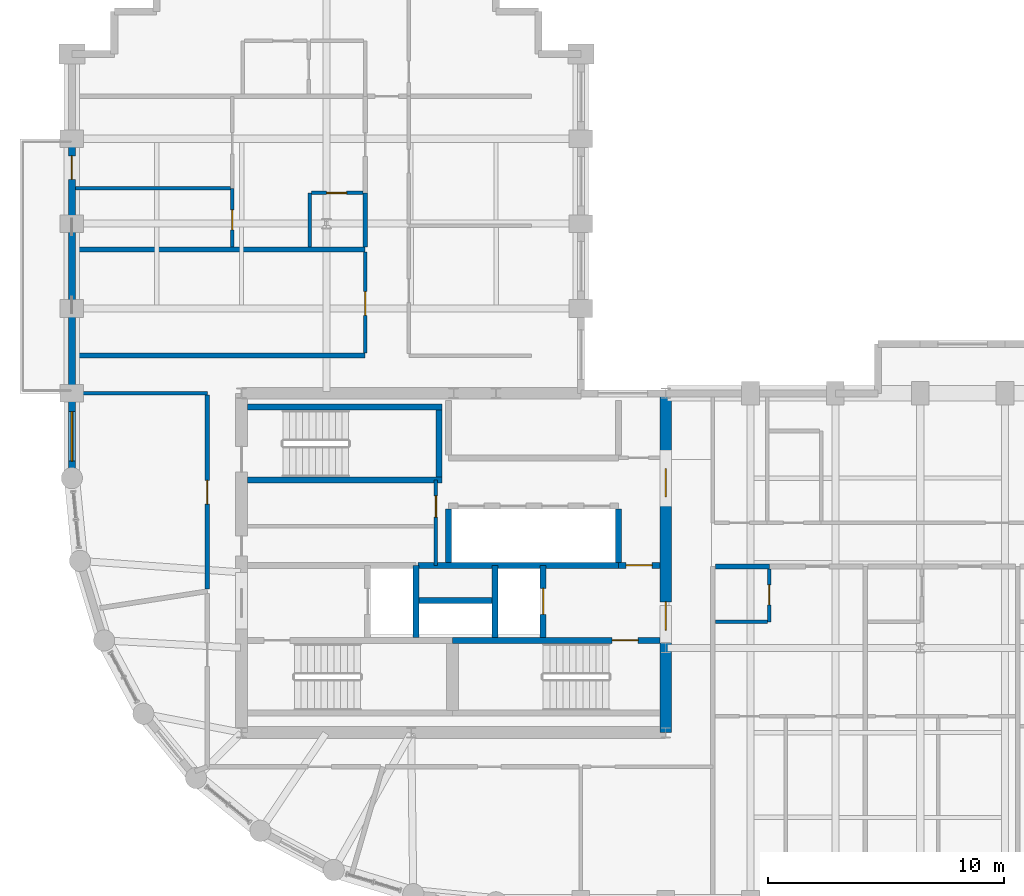
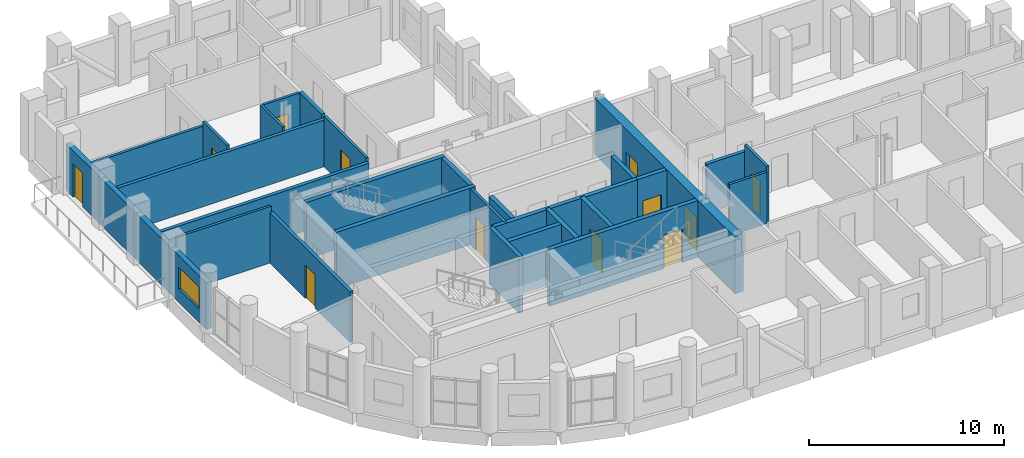
# One storey, part 10 of 15: 31 walls, 12 doors, 1 window, 13 openings.
"""IFC4 building model written with IfcOpenShell, lengths in metres."""

from ifc_helpers import new_model, si_unit, direction, frame, frame_2d, origin, place, context, subcontext, project, spatial, rectangle, extrude, material, layer, layer_set, type_object, element, fill, save


model = new_model("IFC4")

# Units and contexts
model_context = context("Model", 3, precision=1e-05, world=origin(), true_north=direction((0.0, 1.0)))
body_context = subcontext(model_context, "Body", "Model", "MODEL_VIEW")
ifc_project = project(units=[si_unit("LENGTHUNIT", "METRE"), si_unit("AREAUNIT", "SQUARE_METRE"), si_unit("VOLUMEUNIT", "CUBIC_METRE"), si_unit("PLANEANGLEUNIT", "RADIAN"), si_unit("MASSUNIT", "GRAM", prefix="KILO")], contexts=[model_context])

# Site, building, storey
site_placement = place(None, origin())
site = spatial("IfcSite", under=ifc_project, at=site_placement, CompositionType="ELEMENT")
building_placement = place(site_placement, origin())
building = spatial("IfcBuilding", under=site, at=building_placement, Name="Solnavia Interchange Tower", CompositionType="ELEMENT")
storey_placement = place(building_placement, frame((0.0, 0.0, 146.60009765625)))
storey = spatial("IfcBuildingStorey", under=building, at=storey_placement, Name="L36", CompositionType="ELEMENT", Elevation=146.60009765625)

# Wall, opening, door
ifc_material_1 = material(Name="Gypsum Acoustic Twin-Stud & Mineral Wool", Category="gypsum")
ifc_layer_1 = layer(ifc_material_1, 0.199951171875)
ifc_layer_set_1 = layer_set([ifc_layer_1], Name="Gypsum Acoustic Twin-Stud & Mineral Wool")
wall_type_1 = type_object("IfcWallType", Name="Wall-ApartmentParty-200", PredefinedType="PARTITIONING", material=ifc_layer_set_1)
wall_1_placement = place(storey_placement, frame((12.949951171875, 16.904052734375, 0.0), z_axis=(0.0, 0.0, 1.0), x_axis=(0.0, 1.0, 0.0)))
wall_1 = element("IfcWall", 1, at=wall_1_placement, inside=storey, type_object=wall_type_1, Name="PTW-L36-12 Interior partition wall", PredefinedType="PARTITIONING", context=body_context, shape_type="SweptSolid", body=[
    extrude(rectangle(XDim=8.217041015625, YDim=0.199951171875, at=frame_2d((4.1083984375, 0.0))), origin(), (0.0, 0.0, 1.0), 3.179931640625),
])
opening_1_placement = place(wall_1_placement, frame((3.595947265625, 0.0, 0.0)))
opening_1 = element("IfcOpeningElement", 2, at=opening_1_placement, cuts=wall_1, Name="Opening DR-07", PredefinedType="OPENING", context=body_context, shape_type="SweptSolid", body=[
    extrude(rectangle(XDim=1.0, YDim=2.10009765625, at=frame_2d((0.5, 1.050048828125))), frame((0.0, 0.10986328125, 0.0), z_axis=(0.0, -1.0, 0.0), x_axis=(1.0, 0.0, 0.0)), (0.0, 0.0, 1.0), 0.219970703125),
])
ifc_material_2 = material(Name="Timber & Acoustic Glazed Office Door", Category="wood")
door_type_1 = type_object("IfcDoorType", Name="Door-Office-1000x2100", OperationType="SINGLE_SWING_RIGHT", PredefinedType="DOOR", material=ifc_material_2)
door_1_placement = place(opening_1_placement, origin())
door_1 = element("IfcDoor", 3, at=door_1_placement, inside=storey, type_object=door_type_1, Name="DR-L36-03 Interior room door", OperationType="SINGLE_SWING_LEFT", OverallHeight=2.10009765625, OverallWidth=1.0, PredefinedType="DOOR", context=body_context, shape_type="SweptSolid", body=[
    extrude(rectangle(XDim=1.0, YDim=2.10009765625, at=frame_2d((0.5, 1.050048828125))), frame((0.0, 0.02490234375, 0.0), z_axis=(0.0, -1.0, 0.0), x_axis=(1.0, 0.0, 0.0)), (0.0, 0.0, 1.0), 0.050048828125),
])
fill(opening_1, door_1)

# Walls
wall_2_placement = place(storey_placement, frame((34.50390625, 17.85009765625, 0.0), z_axis=(0.0, 0.0, 1.0), x_axis=(1.0, 0.0, 0.0)))
element("IfcWall", 4, at=wall_2_placement, inside=storey, type_object=wall_type_1, Name="PTW-L36-19 Interior partition wall", PredefinedType="PARTITIONING", context=body_context, shape_type="SweptSolid", body=[
    extrude(rectangle(XDim=2.296142578125, YDim=0.199951171875, at=frame_2d((1.14794921875, 0.0))), origin(), (0.0, 0.0, 1.0), 3.079833984375),
])
for number, where, z_axis, x_axis, name in (
    (5, (7.35400390625, 26.800048828125, 0.0), (0.0, 0.0, 1.0), (1.0, 0.0, 0.0), "PTW-L36-42 Interior partition wall"),
    (6, (7.35400390625, 31.300048828125, 0.0), (0.0, 0.0, 1.0), (1.0, 0.0, 0.0), "PTW-L36-43 Interior partition wall"),
):
    element("IfcWall", number, at=place(storey_placement, frame(where, z_axis=z_axis, x_axis=x_axis)), inside=storey, type_object=wall_type_1, Name=name, PredefinedType="PARTITIONING", context=body_context, shape_type="SweptSolid", body=[
        extrude(rectangle(XDim=12.2958984375, YDim=0.199951171875, at=frame_2d((6.14794921875, 0.0))), origin(), (0.0, 0.0, 1.0), 2.929931640625),
    ])
wall_3_placement = place(storey_placement, frame((19.64990234375, 31.404052734375, 0.0), z_axis=(0.0, 0.0, 1.0), x_axis=(0.0, 1.0, 0.0)))
element("IfcWall", 7, at=wall_3_placement, inside=storey, type_object=wall_type_1, Name="PTW-L36-45 Interior partition wall", PredefinedType="PARTITIONING", context=body_context, shape_type="SweptSolid", body=[
    extrude(rectangle(XDim=2.2958984375, YDim=0.199951171875, at=frame_2d((1.14794921875, 0.0))), origin(), (0.0, 0.0, 1.0), 3.179931640625),
])

# Wall, opening, door
ifc_material_3 = material(Name="Concrete C40/50", Category="concrete")
ifc_layer_2 = layer(ifc_material_3, 0.300048828125)
ifc_layer_set_2 = layer_set([ifc_layer_2], Name="Concrete C40/50")
wall_type_2 = type_object("IfcWallType", Name="Wall-ExtSpandrel-300", PredefinedType="STANDARD", material=ifc_layer_set_2)
wall_4_placement = place(storey_placement, frame((7.199951171875, 32.39990234375, 0.0), z_axis=(0.0, 0.0, 1.0), x_axis=(0.0, 1.0, 0.0)))
wall_4 = element("IfcWall", 8, at=wall_4_placement, inside=storey, type_object=wall_type_2, Name="EXW-L36-47 Exterior precast spandrel wall", PredefinedType="STANDARD", context=body_context, shape_type="SweptSolid", body=[
    extrude(rectangle(XDim=3.60009765625, YDim=0.300048828125, at=frame_2d((1.800048828125, 0.0))), origin(), (0.0, 0.0, 1.0), 2.929931640625),
])
opening_2_placement = place(wall_4_placement, frame((1.8779296875, 0.0, 0.0)))
opening_2 = element("IfcOpeningElement", 9, at=opening_2_placement, cuts=wall_4, Name="Opening EXD-05", PredefinedType="OPENING", context=body_context, shape_type="SweptSolid", body=[
    extrude(rectangle(XDim=1.0, YDim=2.10009765625, at=frame_2d((0.5, 1.050048828125))), frame((0.0, 0.16015625, 0.0), z_axis=(0.0, -1.0, 0.0), x_axis=(1.0, 0.0, 0.0)), (0.0, 0.0, 1.0), 0.320068359375),
])
ifc_material_4 = material(Name="Thermally Broken Aluminium & Laminated Glass", Category="aluminium")
door_type_2 = type_object("IfcDoorType", Name="Door-TerraceSingle-1000x2100", OperationType="SINGLE_SWING_LEFT", PredefinedType="DOOR", material=ifc_material_4)
door_2_placement = place(opening_2_placement, origin())
door_2 = element("IfcDoor", 10, at=door_2_placement, inside=storey, type_object=door_type_2, Name="EXD-L36-TER Spiral terrace glazed door", OperationType="SINGLE_SWING_LEFT", OverallHeight=2.10009765625, OverallWidth=1.0, PredefinedType="DOOR", context=body_context, shape_type="SweptSolid", body=[
    extrude(rectangle(XDim=1.0, YDim=2.10009765625, at=frame_2d((0.5, 1.050048828125))), frame((0.0, 0.02490234375, 0.0), z_axis=(0.0, -1.0, 0.0), x_axis=(1.0, 0.0, 0.0)), (0.0, 0.0, 1.0), 0.050048828125),
])
fill(opening_2, door_2)

# Walls
wall_5_placement = place(storey_placement, frame((7.199951171875, 28.800048828125, 0.0), z_axis=(0.0, 0.0, 1.0), x_axis=(0.0, 1.0, 0.0)))
element("IfcWall", 11, at=wall_5_placement, inside=storey, type_object=wall_type_2, Name="EXW-L36-48 Exterior precast spandrel wall", PredefinedType="STANDARD", context=body_context, shape_type="SweptSolid", body=[
    extrude(rectangle(XDim=3.599853515625, YDim=0.300048828125, at=frame_2d((1.7998046875, 0.0))), origin(), (0.0, 0.0, 1.0), 2.929931640625),
])
wall_6_placement = place(storey_placement, frame((7.199951171875, 25.199951171875, 0.0), z_axis=(0.0, 0.0, 1.0), x_axis=(0.0, 1.0, 0.0)))
element("IfcWall", 12, at=wall_6_placement, inside=storey, type_object=wall_type_2, Name="EXW-L36-49 Exterior precast spandrel wall", PredefinedType="STANDARD", context=body_context, shape_type="SweptSolid", body=[
    extrude(rectangle(XDim=3.60009765625, YDim=0.300048828125, at=frame_2d((1.800048828125, 0.0))), origin(), (0.0, 0.0, 1.0), 2.929931640625),
])

# Wall, opening, window
wall_7_placement = place(storey_placement, frame((7.199951171875, 21.60009765625, 0.0), z_axis=(0.0, 0.0, 1.0), x_axis=(0.0, 1.0, 0.0)))
wall_7 = element("IfcWall", 13, at=wall_7_placement, inside=storey, type_object=wall_type_2, Name="EXW-L36-50 Exterior precast spandrel wall", PredefinedType="STANDARD", context=body_context, shape_type="SweptSolid", body=[
    extrude(rectangle(XDim=3.599853515625, YDim=0.300048828125, at=frame_2d((1.7998046875, 0.0))), origin(), (0.0, 0.0, 1.0), 2.929931640625),
])
opening_3_placement = place(wall_7_placement, frame((0.72509765625, 0.0, 0.85009765625)))
opening_3 = element("IfcOpeningElement", 14, at=opening_3_placement, cuts=wall_7, Name="Opening WIN-01", PredefinedType="OPENING", context=body_context, shape_type="SweptSolid", body=[
    extrude(rectangle(XDim=2.10009765625, YDim=1.35009765625, at=frame_2d((1.050048828125, 0.675048828125))), frame((0.0, 0.16015625, 0.0), z_axis=(0.0, -1.0, 0.0), x_axis=(1.0, 0.0, 0.0)), (0.0, 0.0, 1.0), 0.320068359375),
])
ifc_material_5 = material(Name="Thermal-Break Aluminium & Low-E Glass", Category="aluminium")
window_type = type_object("IfcWindowType", Name="Window-Ribbon-2100x1350", PartitioningType="SINGLE_PANEL", PredefinedType="WINDOW", material=ifc_material_5)
window_placement = place(opening_3_placement, origin())
window = element("IfcWindow", 15, at=window_placement, inside=storey, type_object=window_type, Name="WIN-L36-50 Facade ribbon window", OverallHeight=1.35009765625, OverallWidth=2.10009765625, PartitioningType="SINGLE_PANEL", PredefinedType="WINDOW", context=body_context, shape_type="SweptSolid", body=[
    extrude(rectangle(XDim=2.10009765625, YDim=1.35009765625, at=frame_2d((1.050048828125, 0.675048828125))), frame((0.0, 0.030029296875, 0.0), z_axis=(0.0, -1.0, 0.0), x_axis=(1.0, 0.0, 0.0)), (0.0, 0.0, 1.0), 0.06005859375),
])
fill(opening_3, window)

# Wall, opening, door
ifc_material_6 = material(Name="Gypsum Plasterboard & Steel Stud", Category="steel")
ifc_layer_3 = layer(ifc_material_6, 0.14990234375)
ifc_layer_set_3 = layer_set([ifc_layer_3], Name="Gypsum Plasterboard & Steel Stud")
wall_type_3 = type_object("IfcWallType", Name="Wall-Partition-150", PredefinedType="PARTITIONING", material=ifc_layer_set_3)
wall_8_placement = place(storey_placement, frame((22.64990234375, 17.89990234375, 0.0), z_axis=(0.0, 0.0, 1.0), x_axis=(0.0, 1.0, 0.0)))
wall_8 = element("IfcWall", 16, at=wall_8_placement, inside=storey, type_object=wall_type_3, Name="CSW-L36-E Core shaft wall", PredefinedType="PARTITIONING", context=body_context, shape_type="SweptSolid", body=[
    extrude(rectangle(XDim=3.625, YDim=0.14990234375, at=frame_2d((1.8125, 0.0))), origin(), (0.0, 0.0, 1.0), 3.534912109375),
])
opening_4_placement = place(wall_8_placement, frame((2.050048828125, 0.0, 0.0)))
opening_4 = element("IfcOpeningElement", 17, at=opening_4_placement, cuts=wall_8, Name="Opening DR-09", PredefinedType="OPENING", context=body_context, shape_type="SweptSolid", body=[
    extrude(rectangle(XDim=0.89990234375, YDim=2.10009765625, at=frame_2d((0.449951171875, 1.050048828125))), frame((0.0, 0.0849609375, 0.0), z_axis=(0.0, -1.0, 0.0), x_axis=(1.0, 0.0, 0.0)), (0.0, 0.0, 1.0), 0.169921875),
])
ifc_material_7 = material(Name="Engineered Oak Veneer Door", Category="wood")
door_type_3 = type_object("IfcDoorType", Name="Door-Internal-900x2100", OperationType="SINGLE_SWING_LEFT", PredefinedType="DOOR", material=ifc_material_7)
door_3_placement = place(opening_4_placement, origin())
door_3 = element("IfcDoor", 18, at=door_3_placement, inside=storey, type_object=door_type_3, Name="DR-L36-CS2 Core fire door", OperationType="SINGLE_SWING_LEFT", OverallHeight=2.10009765625, OverallWidth=0.89990234375, PredefinedType="DOOR", context=body_context, shape_type="SweptSolid", body=[
    extrude(rectangle(XDim=0.89990234375, YDim=2.10009765625, at=frame_2d((0.449951171875, 1.050048828125))), frame((0.0, 0.02490234375, 0.0), z_axis=(0.0, -1.0, 0.0), x_axis=(1.0, 0.0, 0.0)), (0.0, 0.0, 1.0), 0.050048828125),
])
fill(opening_4, door_3)

# Wall
wall_9_placement = place(storey_placement, frame((7.35400390625, 25.199951171875, 0.0), z_axis=(0.0, 0.0, 1.0), x_axis=(1.0, 0.0, 0.0)))
element("IfcWall", 19, at=wall_9_placement, inside=storey, type_object=wall_type_3, Name="PTW-L36-07 Interior partition wall", PredefinedType="PARTITIONING", context=body_context, shape_type="SweptSolid", body=[
    extrude(rectangle(XDim=5.595947265625, YDim=0.14990234375, at=frame_2d((2.7978515625, 0.0))), origin(), (0.0, 0.0, 1.0), 3.534912109375),
])

# Wall, opening, door
wall_10_placement = place(storey_placement, frame((19.64990234375, 26.904052734375, 0.0), z_axis=(0.0, 0.0, 1.0), x_axis=(0.0, 1.0, 0.0)))
wall_10 = element("IfcWall", 20, at=wall_10_placement, inside=storey, type_object=wall_type_3, Name="PTW-L36-44 Interior partition wall", PredefinedType="PARTITIONING", context=body_context, shape_type="SweptSolid", body=[
    extrude(rectangle(XDim=4.2919921875, YDim=0.14990234375, at=frame_2d((2.14599609375, 0.0))), origin(), (0.0, 0.0, 1.0), 3.169921875),
])
opening_5_placement = place(wall_10_placement, frame((1.60595703125, 0.0, 0.0)))
opening_5 = element("IfcOpeningElement", 21, at=opening_5_placement, cuts=wall_10, Name="Opening DR-07", PredefinedType="OPENING", context=body_context, shape_type="SweptSolid", body=[
    extrude(rectangle(XDim=1.0, YDim=2.10009765625, at=frame_2d((0.5, 1.050048828125))), frame((0.0, 0.0849609375, 0.0), z_axis=(0.0, -1.0, 0.0), x_axis=(1.0, 0.0, 0.0)), (0.0, 0.0, 1.0), 0.169921875),
])
door_4_placement = place(opening_5_placement, origin())
door_4 = element("IfcDoor", 22, at=door_4_placement, inside=storey, type_object=door_type_1, Name="DR-L36-21 Interior room door", OperationType="SINGLE_SWING_RIGHT", OverallHeight=2.10009765625, OverallWidth=1.0, PredefinedType="DOOR", context=body_context, shape_type="SweptSolid", body=[
    extrude(rectangle(XDim=1.0, YDim=2.10009765625, at=frame_2d((0.5, 1.050048828125))), frame((0.0, 0.02490234375, 0.0), z_axis=(0.0, -1.0, 0.0), x_axis=(1.0, 0.0, 0.0)), (0.0, 0.0, 1.0), 0.050048828125),
])
fill(opening_5, door_4)

ifc_layer_4 = layer(ifc_material_3, 0.25)
ifc_layer_set_4 = layer_set([ifc_layer_4], Name="Concrete C40/50")
wall_type_4 = type_object("IfcWallType", Name="Wall-ShaftCore-250", PredefinedType="SHEAR", material=ifc_layer_set_4)
wall_11_placement = place(storey_placement, frame((23.35009765625, 14.715087890625, 0.0), z_axis=(0.0, 0.0, 1.0), x_axis=(1.0, 0.0, 0.0)))
wall_11 = element("IfcWall", 23, at=wall_11_placement, inside=storey, type_object=wall_type_4, Name="SHW-L36-ST2N Core shear wall", PredefinedType="SHEAR", context=body_context, shape_type="SweptSolid", body=[
    extrude(rectangle(XDim=8.7998046875, YDim=0.25, at=frame_2d((4.39990234375, 0.0))), origin(), (0.0, 0.0, 1.0), 3.5498046875),
])
opening_6_placement = place(wall_11_placement, frame((6.77490234375, 0.0, 0.0)))
opening_6 = element("IfcOpeningElement", 24, at=opening_6_placement, cuts=wall_11, Name="Opening DR-01", PredefinedType="OPENING", context=body_context, shape_type="SweptSolid", body=[
    extrude(rectangle(XDim=1.10009765625, YDim=2.10009765625, at=frame_2d((0.550048828125, 1.050048828125))), frame((0.0, 0.135009765625, 0.0), z_axis=(0.0, -1.0, 0.0), x_axis=(1.0, 0.0, 0.0)), (0.0, 0.0, 1.0), 0.27001953125),
])
ifc_material_8 = material(Name="Steel Fire-Rated Leaf & Frame", Category="steel")
door_type_4 = type_object("IfcDoorType", Name="Door-StairFire-1100x2100", OperationType="SINGLE_SWING_LEFT", PredefinedType="DOOR", material=ifc_material_8)
door_5_placement = place(opening_6_placement, origin())
door_5 = element("IfcDoor", 25, at=door_5_placement, inside=storey, type_object=door_type_4, Name="DR-L36-ST2 Core fire door", OperationType="SINGLE_SWING_LEFT", OverallHeight=2.10009765625, OverallWidth=1.10009765625, PredefinedType="DOOR", context=body_context, shape_type="SweptSolid", body=[
    extrude(rectangle(XDim=1.10009765625, YDim=2.10009765625, at=frame_2d((0.550048828125, 1.050048828125))), frame((0.0, 0.02490234375, 0.0), z_axis=(0.0, -1.0, 0.0), x_axis=(1.0, 0.0, 0.0)), (0.0, 0.0, 1.0), 0.050048828125),
])
fill(opening_6, door_5)

# Walls
for number, where, z_axis, x_axis, name in (
    (26, (14.64990234375, 21.52490234375, 0.0), (0.0, 0.0, 1.0), (1.0, 0.0, 0.0), "SHW-L36-ST3S Core shear wall"),
    (27, (14.64990234375, 24.614990234375, 0.0), (0.0, 0.0, 1.0), (1.0, 0.0, 0.0), "SHW-L36-ST3N Core shear wall"),
):
    element("IfcWall", number, at=place(storey_placement, frame(where, z_axis=z_axis, x_axis=x_axis)), inside=storey, type_object=wall_type_4, Name=name, PredefinedType="SHEAR", context=body_context, shape_type="SweptSolid", body=[
        extrude(rectangle(XDim=8.25, YDim=0.25, at=frame_2d((4.125, 0.0))), origin(), (0.0, 0.0, 1.0), 3.5498046875),
    ])
wall_12_placement = place(storey_placement, frame((22.77490234375, 21.64990234375, 0.0), z_axis=(0.0, 0.0, 1.0), x_axis=(0.0, 1.0, 0.0)))
element("IfcWall", 28, at=wall_12_placement, inside=storey, type_object=wall_type_4, Name="SHW-L36-ST3E Core shear wall", PredefinedType="SHEAR", context=body_context, shape_type="SweptSolid", body=[
    extrude(rectangle(XDim=2.840087890625, YDim=0.25, at=frame_2d((1.419921875, 0.0))), origin(), (0.0, 0.0, 1.0), 3.5498046875),
])
ifc_layer_5 = layer(ifc_material_3, 0.25)
ifc_layer_set_5 = layer_set([ifc_layer_5], Name="Concrete C40/50")
wall_type_5 = type_object("IfcWallType", Name="Wall-ShaftPart-250", PredefinedType="PARTITIONING", material=ifc_layer_set_5)
wall_13_placement = place(storey_placement, frame((21.800048828125, 14.840087890625, 0.0), z_axis=(0.0, 0.0, 1.0), x_axis=(0.0, 1.0, 0.0)))
element("IfcWall", 29, at=wall_13_placement, inside=storey, type_object=wall_type_5, Name="SHW-L36-FFL1-E Core shaft wall", PredefinedType="PARTITIONING", context=body_context, shape_type="SweptSolid", body=[
    extrude(rectangle(XDim=3.059814453125, YDim=0.25, at=frame_2d((1.52978515625, 0.0))), origin(), (0.0, 0.0, 1.0), 3.534912109375),
])
wall_14_placement = place(storey_placement, frame((21.8798828125, 17.89990234375, 0.0), z_axis=(0.0, 0.0, 1.0), x_axis=(1.0, 0.0, 0.0)))
element("IfcWall", 30, at=wall_14_placement, inside=storey, type_object=wall_type_5, Name="SHW-L36-FFLE-N1 Core shaft wall", PredefinedType="PARTITIONING", context=body_context, shape_type="SweptSolid", body=[
    extrude(rectangle(XDim=8.52001953125, YDim=0.25, at=frame_2d((4.260009765625, 0.0))), origin(), (0.0, 0.0, 1.0), 3.534912109375),
])

# Wall, opening, door
wall_15_placement = place(storey_placement, frame((30.39990234375, 17.89990234375, 0.0), z_axis=(0.0, 0.0, 1.0), x_axis=(1.0, 0.0, 0.0)))
wall_15 = element("IfcWall", 31, at=wall_15_placement, inside=storey, type_object=wall_type_5, Name="SHW-L36-FFLE-N2 Core shaft wall", PredefinedType="PARTITIONING", context=body_context, shape_type="SweptSolid", body=[
    extrude(rectangle(XDim=1.75, YDim=0.25, at=frame_2d((0.875, 0.0))), origin(), (0.0, 0.0, 1.0), 3.534912109375),
])
opening_7_placement = place(wall_15_placement, frame((0.320068359375, 0.0, 0.0)))
opening_7 = element("IfcOpeningElement", 32, at=opening_7_placement, cuts=wall_15, Name="Opening DR-01", PredefinedType="OPENING", context=body_context, shape_type="SweptSolid", body=[
    extrude(rectangle(XDim=1.10009765625, YDim=2.10009765625, at=frame_2d((0.550048828125, 1.050048828125))), frame((0.0, 0.135009765625, 0.0), z_axis=(0.0, -1.0, 0.0), x_axis=(1.0, 0.0, 0.0)), (0.0, 0.0, 1.0), 0.27001953125),
])
door_6_placement = place(opening_7_placement, origin())
door_6 = element("IfcDoor", 33, at=door_6_placement, inside=storey, type_object=door_type_4, Name="DR-L36-LLC Core fire door", OperationType="SINGLE_SWING_LEFT", OverallHeight=2.10009765625, OverallWidth=1.10009765625, PredefinedType="DOOR", context=body_context, shape_type="SweptSolid", body=[
    extrude(rectangle(XDim=1.10009765625, YDim=2.10009765625, at=frame_2d((0.550048828125, 1.050048828125))), frame((0.0, 0.02490234375, 0.0), z_axis=(0.0, -1.0, 0.0), x_axis=(1.0, 0.0, 0.0)), (0.0, 0.0, 1.0), 0.050048828125),
])
fill(opening_7, door_6)

# Wall
wall_16_placement = place(storey_placement, frame((25.14990234375, 14.840087890625, 0.0), z_axis=(0.0, 0.0, 1.0), x_axis=(0.0, 1.0, 0.0)))
element("IfcWall", 34, at=wall_16_placement, inside=storey, type_object=wall_type_5, Name="SHW-L36-FFL2-W Core shaft wall", PredefinedType="PARTITIONING", context=body_context, shape_type="SweptSolid", body=[
    extrude(rectangle(XDim=3.059814453125, YDim=0.25, at=frame_2d((1.52978515625, 0.0))), origin(), (0.0, 0.0, 1.0), 3.534912109375),
])

# Wall, opening, door
wall_17_placement = place(storey_placement, frame((27.199951171875, 14.840087890625, 0.0), z_axis=(0.0, 0.0, 1.0), x_axis=(0.0, 1.0, 0.0)))
wall_17 = element("IfcWall", 35, at=wall_17_placement, inside=storey, type_object=wall_type_5, Name="SHW-L36-FFL2-E Core shaft wall", PredefinedType="PARTITIONING", context=body_context, shape_type="SweptSolid", body=[
    extrude(rectangle(XDim=3.059814453125, YDim=0.25, at=frame_2d((1.52978515625, 0.0))), origin(), (0.0, 0.0, 1.0), 3.534912109375),
])
opening_8_placement = place(wall_17_placement, frame((0.97998046875, 0.0, 0.0)))
opening_8 = element("IfcOpeningElement", 36, at=opening_8_placement, cuts=wall_17, Name="Opening LD-01", PredefinedType="OPENING", context=body_context, shape_type="SweptSolid", body=[
    extrude(rectangle(XDim=1.10009765625, YDim=2.10009765625, at=frame_2d((0.550048828125, 1.050048828125))), frame((0.0, 0.135009765625, 0.0), z_axis=(0.0, -1.0, 0.0), x_axis=(1.0, 0.0, 0.0)), (0.0, 0.0, 1.0), 0.27001953125),
])
ifc_material_9 = material(Name="Brushed Stainless Steel Sliding Door", Category="steel")
door_type_5 = type_object("IfcDoorType", Name="Door-LiftLanding-1100x2100", OperationType="SLIDING_TO_LEFT", PredefinedType="DOOR", material=ifc_material_9)
door_7_placement = place(opening_8_placement, origin())
door_7 = element("IfcDoor", 37, at=door_7_placement, inside=storey, type_object=door_type_5, Name="LD-L36-FFL2 Lift landing sliding door", OperationType="SLIDING_TO_LEFT", OverallHeight=2.10009765625, OverallWidth=1.10009765625, PredefinedType="DOOR", context=body_context, shape_type="SweptSolid", body=[
    extrude(rectangle(XDim=1.10009765625, YDim=2.10009765625, at=frame_2d((0.550048828125, 1.050048828125))), frame((0.0, 0.02490234375, 0.0), z_axis=(0.0, -1.0, 0.0), x_axis=(1.0, 0.0, 0.0)), (0.0, 0.0, 1.0), 0.050048828125),
])
fill(opening_8, door_7)

# Walls
wall_18_placement = place(storey_placement, frame((21.800048828125, 16.39990234375, 0.0), z_axis=(0.0, 0.0, 1.0), x_axis=(1.0, 0.0, 0.0)))
element("IfcWall", 38, at=wall_18_placement, inside=storey, type_object=wall_type_5, Name="SHW-L36-MEP-N Core shaft wall", PredefinedType="PARTITIONING", context=body_context, shape_type="SweptSolid", body=[
    extrude(rectangle(XDim=3.349853515625, YDim=0.25, at=frame_2d((1.6748046875, 0.0))), origin(), (0.0, 0.0, 1.0), 3.534912109375),
])
for number, where, z_axis, x_axis, name in (
    (39, (23.179931640625, 18.02490234375, 0.0), (0.0, 0.0, 1.0), (0.0, 1.0, 0.0), "SHW-L36-B2W Core shaft wall"),
    (40, (30.39990234375, 18.02490234375, 0.0), (0.0, 0.0, 1.0), (0.0, 1.0, 0.0), "SHW-L36-B2E Core shaft wall"),
):
    element("IfcWall", number, at=place(storey_placement, frame(where, z_axis=z_axis, x_axis=x_axis)), inside=storey, type_object=wall_type_5, Name=name, PredefinedType="PARTITIONING", context=body_context, shape_type="SweptSolid", body=[
        extrude(rectangle(XDim=2.27001953125, YDim=0.25, at=frame_2d((1.135009765625, 0.0))), origin(), (0.0, 0.0, 1.0), 3.534912109375),
    ])

# Wall, openings, doors
ifc_material_10 = material(Name="Concrete C60/75", Category="concrete")
ifc_layer_6 = layer(ifc_material_10, 0.5)
ifc_layer_set_6 = layer_set([ifc_layer_6], Name="Concrete C60/75")
wall_type_6 = type_object("IfcWallType", Name="Wall-ShearCore-500", PredefinedType="SHEAR", material=ifc_layer_set_6)
wall_19_placement = place(storey_placement, frame((32.39990234375, 10.800048828125, 0.0), z_axis=(0.0, 0.0, 1.0), x_axis=(0.0, 1.0, 0.0)))
wall_19 = element("IfcWall", 41, at=wall_19_placement, inside=storey, type_object=wall_type_6, Name="CRW-L36-E Core shear wall", PredefinedType="SHEAR", context=body_context, shape_type="SweptSolid", body=[
    extrude(rectangle(XDim=14.39990234375, YDim=0.5, at=frame_2d((7.199951171875, 0.0))), origin(), (0.0, 0.0, 1.0), 3.5498046875),
])
opening_9_placement = place(wall_19_placement, frame((4.35009765625, 0.0, 0.0)))
opening_9 = element("IfcOpeningElement", 42, at=opening_9_placement, cuts=wall_19, Name="Opening DR-02", PredefinedType="OPENING", context=body_context, shape_type="SweptSolid", body=[
    extrude(rectangle(XDim=1.199951171875, YDim=2.10009765625, at=frame_2d((0.60009765625, 1.050048828125))), frame((0.0, 0.260009765625, 0.0), z_axis=(0.0, -1.0, 0.0), x_axis=(1.0, 0.0, 0.0)), (0.0, 0.0, 1.0), 0.52001953125),
])
opening_10_placement = place(wall_19_placement, frame((10.0, 0.0, 0.0)))
opening_10 = element("IfcOpeningElement", 43, at=opening_10_placement, cuts=wall_19, Name="Opening DR-02", PredefinedType="OPENING", context=body_context, shape_type="SweptSolid", body=[
    extrude(rectangle(XDim=1.199951171875, YDim=2.10009765625, at=frame_2d((0.60009765625, 1.050048828125))), frame((0.0, 0.260009765625, 0.0), z_axis=(0.0, -1.0, 0.0), x_axis=(1.0, 0.0, 0.0)), (0.0, 0.0, 1.0), 0.52001953125),
])
ifc_material_11 = material(Name="Steel Fire-Rated Vision-Panel Door", Category="steel")
door_type_6 = type_object("IfcDoorType", Name="Door-LobbyFire-1200x2100", OperationType="SINGLE_SWING_RIGHT", PredefinedType="DOOR", material=ifc_material_11)
door_8_placement = place(opening_9_placement, origin())
door_8 = element("IfcDoor", 44, at=door_8_placement, inside=storey, type_object=door_type_6, Name="DR-L36-FFL2E Core fire door", OperationType="SINGLE_SWING_LEFT", OverallHeight=2.10009765625, OverallWidth=1.199951171875, PredefinedType="DOOR", context=body_context, shape_type="SweptSolid", body=[
    extrude(rectangle(XDim=1.199951171875, YDim=2.10009765625, at=frame_2d((0.60009765625, 1.050048828125))), frame((0.0, 0.02490234375, 0.0), z_axis=(0.0, -1.0, 0.0), x_axis=(1.0, 0.0, 0.0)), (0.0, 0.0, 1.0), 0.050048828125),
])
fill(opening_9, door_8)
door_9_placement = place(opening_10_placement, origin())
door_9 = element("IfcDoor", 45, at=door_9_placement, inside=storey, type_object=door_type_6, Name="DR-L36-LLE Core fire door", OperationType="SINGLE_SWING_RIGHT", OverallHeight=2.10009765625, OverallWidth=1.199951171875, PredefinedType="DOOR", context=body_context, shape_type="SweptSolid", body=[
    extrude(rectangle(XDim=1.199951171875, YDim=2.10009765625, at=frame_2d((0.60009765625, 1.050048828125))), frame((0.0, 0.02490234375, 0.0), z_axis=(0.0, -1.0, 0.0), x_axis=(1.0, 0.0, 0.0)), (0.0, 0.0, 1.0), 0.050048828125),
])
fill(opening_10, door_9)

# Wall, opening, door
ifc_material_12 = material(Name="Moisture-Resistant Gypsum & Steel Stud", Category="steel")
ifc_layer_7 = layer(ifc_material_12, 0.14990234375)
ifc_layer_set_7 = layer_set([ifc_layer_7], Name="Moisture-Resistant Gypsum & Steel Stud")
wall_type_7 = type_object("IfcWallType", Name="Wall-WetRoom-150", PredefinedType="PARTITIONING", material=ifc_layer_set_7)
wall_20_placement = place(storey_placement, frame((36.800048828125, 15.5, 0.0), z_axis=(0.0, 0.0, 1.0), x_axis=(0.0, 1.0, 0.0)))
wall_20 = element("IfcWall", 46, at=wall_20_placement, inside=storey, type_object=wall_type_7, Name="PTW-L36-20 Interior partition wall", PredefinedType="PARTITIONING", context=body_context, shape_type="SweptSolid", body=[
    extrude(rectangle(XDim=2.24609375, YDim=0.14990234375, at=frame_2d((1.123046875, 0.0))), origin(), (0.0, 0.0, 1.0), 3.534912109375),
])
opening_11_placement = place(wall_20_placement, frame((0.719970703125, 0.0, 0.0)))
opening_11 = element("IfcOpeningElement", 47, at=opening_11_placement, cuts=wall_20, Name="Opening DR-10", PredefinedType="OPENING", context=body_context, shape_type="SweptSolid", body=[
    extrude(rectangle(XDim=0.85009765625, YDim=2.10009765625, at=frame_2d((0.425048828125, 1.050048828125))), frame((0.0, 0.0849609375, 0.0), z_axis=(0.0, -1.0, 0.0), x_axis=(1.0, 0.0, 0.0)), (0.0, 0.0, 1.0), 0.169921875),
])
ifc_material_13 = material(Name="Moisture-Resistant Timber Door", Category="wood")
door_type_7 = type_object("IfcDoorType", Name="Door-Bathroom-850x2100", OperationType="SINGLE_SWING_RIGHT", PredefinedType="DOOR", material=ifc_material_13)
door_10_placement = place(opening_11_placement, origin())
door_10 = element("IfcDoor", 48, at=door_10_placement, inside=storey, type_object=door_type_7, Name="DR-L36-08 Interior room door", OperationType="SINGLE_SWING_RIGHT", OverallHeight=2.10009765625, OverallWidth=0.85009765625, PredefinedType="DOOR", context=body_context, shape_type="SweptSolid", body=[
    extrude(rectangle(XDim=0.85009765625, YDim=2.10009765625, at=frame_2d((0.425048828125, 1.050048828125))), frame((0.0, 0.02490234375, 0.0), z_axis=(0.0, -1.0, 0.0), x_axis=(1.0, 0.0, 0.0)), (0.0, 0.0, 1.0), 0.050048828125),
])
fill(opening_11, door_10)

# Walls
wall_21_placement = place(storey_placement, frame((34.50390625, 15.5, 0.0), z_axis=(0.0, 0.0, 1.0), x_axis=(1.0, 0.0, 0.0)))
element("IfcWall", 49, at=wall_21_placement, inside=storey, type_object=wall_type_7, Name="PTW-L36-21 Interior partition wall", PredefinedType="PARTITIONING", context=body_context, shape_type="SweptSolid", body=[
    extrude(rectangle(XDim=2.217041015625, YDim=0.14990234375, at=frame_2d((1.1083984375, 0.0))), origin(), (0.0, 0.0, 1.0), 3.219970703125),
])
wall_22_placement = place(storey_placement, frame((17.300048828125, 31.404052734375, 0.0), z_axis=(0.0, 0.0, 1.0), x_axis=(0.0, 1.0, 0.0)))
element("IfcWall", 50, at=wall_22_placement, inside=storey, type_object=wall_type_7, Name="PTW-L36-46 Interior partition wall", PredefinedType="PARTITIONING", context=body_context, shape_type="SweptSolid", body=[
    extrude(rectangle(XDim=2.2958984375, YDim=0.14990234375, at=frame_2d((1.14794921875, 0.0))), origin(), (0.0, 0.0, 1.0), 3.179931640625),
])

# Wall, opening, door
wall_23_placement = place(storey_placement, frame((17.37890625, 33.699951171875, 0.0), z_axis=(0.0, 0.0, 1.0), x_axis=(1.0, 0.0, 0.0)))
wall_23 = element("IfcWall", 51, at=wall_23_placement, inside=storey, type_object=wall_type_7, Name="PTW-L36-47 Interior partition wall", PredefinedType="PARTITIONING", context=body_context, shape_type="SweptSolid", body=[
    extrude(rectangle(XDim=2.1669921875, YDim=0.14990234375, at=frame_2d((1.08349609375, 0.0))), origin(), (0.0, 0.0, 1.0), 3.169921875),
])
opening_12_placement = place(wall_23_placement, frame((0.633056640625, 0.0, 0.0)))
opening_12 = element("IfcOpeningElement", 52, at=opening_12_placement, cuts=wall_23, Name="Opening DR-10", PredefinedType="OPENING", context=body_context, shape_type="SweptSolid", body=[
    extrude(rectangle(XDim=0.85009765625, YDim=2.10009765625, at=frame_2d((0.425048828125, 1.050048828125))), frame((0.0, 0.0849609375, 0.0), z_axis=(0.0, -1.0, 0.0), x_axis=(1.0, 0.0, 0.0)), (0.0, 0.0, 1.0), 0.169921875),
])
door_11_placement = place(opening_12_placement, origin())
door_11 = element("IfcDoor", 53, at=door_11_placement, inside=storey, type_object=door_type_7, Name="DR-L36-22 Interior room door", OperationType="SINGLE_SWING_RIGHT", OverallHeight=2.10009765625, OverallWidth=0.85009765625, PredefinedType="DOOR", context=body_context, shape_type="SweptSolid", body=[
    extrude(rectangle(XDim=0.85009765625, YDim=2.10009765625, at=frame_2d((0.425048828125, 1.050048828125))), frame((0.0, 0.02490234375, 0.0), z_axis=(0.0, -1.0, 0.0), x_axis=(1.0, 0.0, 0.0)), (0.0, 0.0, 1.0), 0.050048828125),
])
fill(opening_12, door_11)

wall_24_placement = place(storey_placement, frame((14.010009765625, 31.404052734375, 0.0), z_axis=(0.0, 0.0, 1.0), x_axis=(0.0, 1.0, 0.0)))
wall_24 = element("IfcWall", 54, at=wall_24_placement, inside=storey, type_object=wall_type_7, Name="PTW-L36-50 Interior partition wall", PredefinedType="PARTITIONING", context=body_context, shape_type="SweptSolid", body=[
    extrude(rectangle(XDim=2.495849609375, YDim=0.14990234375, at=frame_2d((1.248046875, 0.0))), origin(), (0.0, 0.0, 1.0), 3.179931640625),
])
opening_13_placement = place(wall_24_placement, frame((0.73095703125, 0.0, 0.0)))
opening_13 = element("IfcOpeningElement", 55, at=opening_13_placement, cuts=wall_24, Name="Opening DR-10", PredefinedType="OPENING", context=body_context, shape_type="SweptSolid", body=[
    extrude(rectangle(XDim=0.85009765625, YDim=2.10009765625, at=frame_2d((0.425048828125, 1.050048828125))), frame((0.0, 0.0849609375, 0.0), z_axis=(0.0, -1.0, 0.0), x_axis=(1.0, 0.0, 0.0)), (0.0, 0.0, 1.0), 0.169921875),
])
door_12_placement = place(opening_13_placement, origin())
door_12 = element("IfcDoor", 56, at=door_12_placement, inside=storey, type_object=door_type_7, Name="DR-L36-25 Interior room door", OperationType="SINGLE_SWING_RIGHT", OverallHeight=2.10009765625, OverallWidth=0.85009765625, PredefinedType="DOOR", context=body_context, shape_type="SweptSolid", body=[
    extrude(rectangle(XDim=0.85009765625, YDim=2.10009765625, at=frame_2d((0.425048828125, 1.050048828125))), frame((0.0, 0.02490234375, 0.0), z_axis=(0.0, -1.0, 0.0), x_axis=(1.0, 0.0, 0.0)), (0.0, 0.0, 1.0), 0.050048828125),
])
fill(opening_13, door_12)

# Wall
wall_25_placement = place(storey_placement, frame((7.35400390625, 33.89990234375, 0.0), z_axis=(0.0, 0.0, 1.0), x_axis=(1.0, 0.0, 0.0)))
element("IfcWall", 57, at=wall_25_placement, inside=storey, type_object=wall_type_7, Name="PTW-L36-51 Interior partition wall", PredefinedType="PARTITIONING", context=body_context, shape_type="SweptSolid", body=[
    extrude(rectangle(XDim=6.576904296875, YDim=0.14990234375, at=frame_2d((3.28857421875, 0.0))), origin(), (0.0, 0.0, 1.0), 2.929931640625),
])

save(model, "model.ifc")
